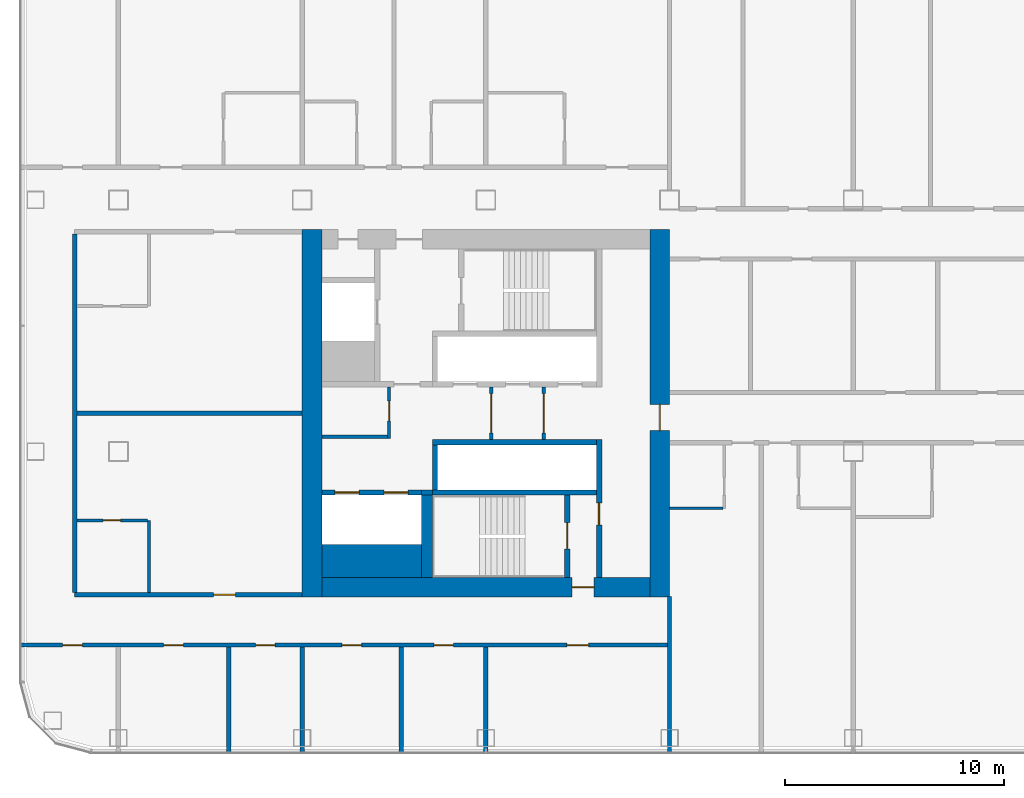
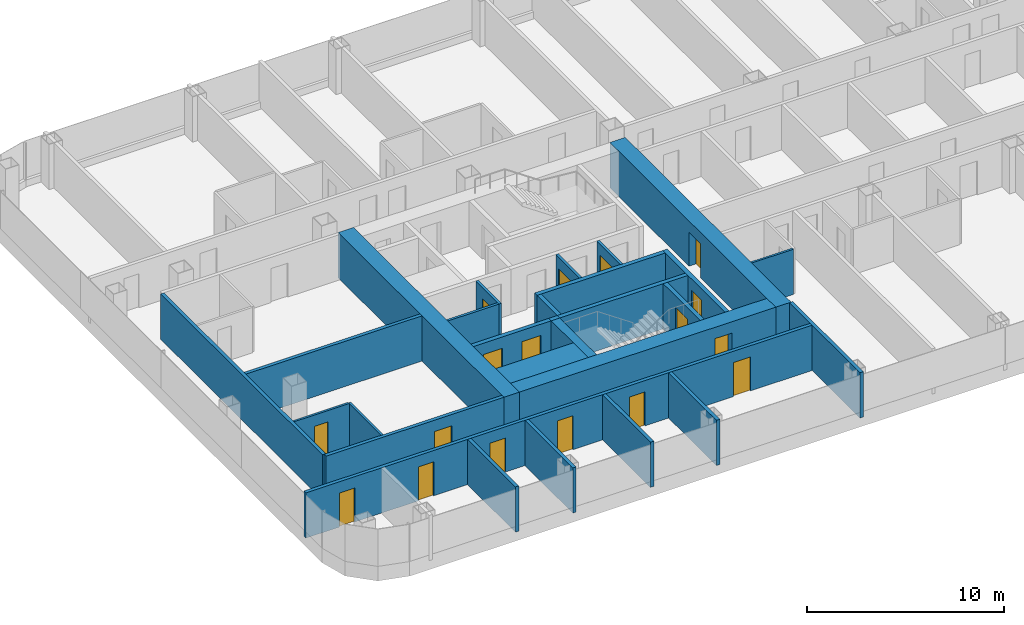
# One storey, part 15 of 29: 28 walls, 17 doors, 17 openings.
"""IFC4 building model written with IfcOpenShell, lengths in metres."""

from ifc_helpers import new_model, si_unit, direction, frame, frame_2d, origin, place, context, subcontext, project, spatial, rectangle, extrude, material, layer, layer_set, type_object, element, fill, save


model = new_model("IFC4")

# Units and contexts
model_context = context("Model", 3, precision=1e-05, world=origin(), true_north=direction((0.0, 1.0)))
body_context = subcontext(model_context, "Body", "Model", "MODEL_VIEW")
ifc_project = project(units=[si_unit("LENGTHUNIT", "METRE"), si_unit("AREAUNIT", "SQUARE_METRE"), si_unit("VOLUMEUNIT", "CUBIC_METRE"), si_unit("PLANEANGLEUNIT", "RADIAN"), si_unit("MASSUNIT", "GRAM", prefix="KILO")], contexts=[model_context])

# Site, building, storey
site_placement = place(None, origin())
site = spatial("IfcSite", under=ifc_project, at=site_placement, CompositionType="ELEMENT")
building_placement = place(site_placement, origin())
building = spatial("IfcBuilding", under=site, at=building_placement, Name="Hakoniwa Tower and Hamabe Station Hall", CompositionType="ELEMENT")
storey_placement = place(building_placement, frame((0.0, 0.0, 78.60009765625)))
storey = spatial("IfcBuildingStorey", under=building, at=storey_placement, Name="L21", CompositionType="ELEMENT", Elevation=78.60009765625)

# Wall, opening, door
ifc_material_1 = material(Name="Gypsum board partition", Category="gypsum")
ifc_layer_1 = layer(ifc_material_1, 0.125)
ifc_layer_set_1 = layer_set([ifc_layer_1], Name="Bathroom Partition 125")
wall_type_1 = type_object("IfcWallType", Name="Bathroom Partition 125", PredefinedType="PARTITIONING", material=ifc_layer_set_1)
wall_1_placement = place(storey_placement, frame((-43.89990234375, -4.89990234375, 0.0), z_axis=(0.0, 0.0, 1.0), x_axis=(1.0, 0.0, 0.0)))
wall_1 = element("IfcWall", 1, at=wall_1_placement, inside=storey, type_object=wall_type_1, Name="GW-L21-005", PredefinedType="PARTITIONING", context=body_context, shape_type="SweptSolid", body=[
    extrude(rectangle(XDim=3.2373046875, YDim=0.125, at=frame_2d((1.61865234375, 0.0))), origin(), (0.0, 0.0, 1.0), 2.7998046875),
])
opening_1_placement = place(wall_1_placement, frame((1.199951171875, 0.0, 0.0)))
opening_1 = element("IfcOpeningElement", 2, at=opening_1_placement, cuts=wall_1, Name="Opening GD-G2B0-16", PredefinedType="OPENING", context=body_context, shape_type="SweptSolid", body=[
    extrude(rectangle(XDim=0.800048828125, YDim=2.10009765625, at=frame_2d((0.39990234375, 1.050048828125))), frame((0.0, 0.072509765625, 0.0), z_axis=(0.0, -1.0, 0.0), x_axis=(1.0, 0.0, 0.0)), (0.0, 0.0, 1.0), 0.14501953125),
])
ifc_material_2 = material(Name="Timber door leaf", Category="wood")
door_type_1 = type_object("IfcDoorType", Name="Bathroom Door 800", OperationType="SINGLE_SWING_LEFT", PredefinedType="DOOR", material=ifc_material_2)
door_1_placement = place(opening_1_placement, origin())
door_1 = element("IfcDoor", 3, at=door_1_placement, inside=storey, type_object=door_type_1, Name="Door GD-G2B0-16", OperationType="SINGLE_SWING_RIGHT", OverallHeight=2.10009765625, OverallWidth=0.800048828125, PredefinedType="DOOR", context=body_context, shape_type="SweptSolid", body=[
    extrude(rectangle(XDim=0.800048828125, YDim=2.10009765625, at=frame_2d((0.39990234375, 1.050048828125))), frame((0.0, 0.02490234375, 0.0), z_axis=(0.0, -1.0, 0.0), x_axis=(1.0, 0.0, 0.0)), (0.0, 0.0, 1.0), 0.050048828125),
])
fill(opening_1, door_1)

# Walls
wall_2_placement = place(storey_placement, frame((-16.81005859375, -4.35009765625, 0.0), z_axis=(0.0, 0.0, 1.0), x_axis=(1.0, 0.0, 0.0)))
element("IfcWall", 4, at=wall_2_placement, inside=storey, type_object=wall_type_1, Name="GW-L21-008", PredefinedType="PARTITIONING", context=body_context, shape_type="SweptSolid", body=[
    extrude(rectangle(XDim=2.447509765625, YDim=0.125, at=frame_2d((1.2236328125, 0.0))), origin(), (0.0, 0.0, 1.0), 2.7998046875),
])
wall_3_placement = place(storey_placement, frame((-40.60009765625, -8.199951171875, 0.0), z_axis=(0.0, 0.0, 1.0), x_axis=(0.0, 1.0, 0.0)))
element("IfcWall", 5, at=wall_3_placement, inside=storey, type_object=wall_type_1, Name="GW-L21-034", PredefinedType="PARTITIONING", context=body_context, shape_type="SweptSolid", body=[
    extrude(rectangle(XDim=3.300048828125, YDim=0.125, at=frame_2d((1.64990234375, 0.0))), origin(), (0.0, 0.0, 1.0), 2.7998046875),
])

# Wall, opening, door
ifc_material_3 = material(Name="Gypsum board partition")
ifc_layer_2 = layer(ifc_material_3, 0.14990234375)
ifc_layer_set_2 = layer_set([ifc_layer_2], Name="CORE PARTITION 150 EI 60")
wall_type_2 = type_object("IfcWallType", Name="CORE PARTITION 150 EI 60", PredefinedType="PARTITIONING", material=ifc_layer_set_2)
wall_4_placement = place(storey_placement, frame((-22.550048828125, -1.199951171875, 0.0), z_axis=(0.0, 0.0, 1.0), x_axis=(0.0, 1.0, 0.0)))
wall_4 = element("IfcWall", 6, at=wall_4_placement, inside=storey, type_object=wall_type_2, Name="Core partition PL0 west", PredefinedType="PARTITIONING", context=body_context, shape_type="SweptSolid", body=[
    extrude(rectangle(XDim=2.39990234375, YDim=0.14990234375, at=frame_2d((1.199951171875, 0.0))), origin(), (0.0, 0.0, 1.0), 2.7998046875),
])
opening_2_placement = place(wall_4_placement, frame((0.300048828125, 0.0, 0.0)))
opening_2 = element("IfcOpeningElement", 7, at=opening_2_placement, cuts=wall_4, Name="Opening CD-W-LP0-18", PredefinedType="OPENING", context=body_context, shape_type="SweptSolid", body=[
    extrude(rectangle(XDim=1.800048828125, YDim=2.10009765625, at=frame_2d((0.89990234375, 1.050048828125))), frame((0.0, 0.0849609375, 0.0), z_axis=(0.0, -1.0, 0.0), x_axis=(1.0, 0.0, 0.0)), (0.0, 0.0, 1.0), 0.169921875),
])
ifc_material_4 = material(Name="Steel fire door", Category="steel")
door_type_2 = type_object("IfcDoorType", Name="CORE DOOR 1800 FD60", OperationType="DOUBLE_DOOR_SINGLE_SWING", PredefinedType="DOOR", material=ifc_material_4)
door_2_placement = place(opening_2_placement, origin())
door_2 = element("IfcDoor", 8, at=door_2_placement, inside=storey, type_object=door_type_2, Name="Lift lobby partition door", OperationType="DOUBLE_DOOR_SINGLE_SWING", OverallHeight=2.10009765625, OverallWidth=1.800048828125, PredefinedType="DOOR", context=body_context, shape_type="SweptSolid", body=[
    extrude(rectangle(XDim=1.800048828125, YDim=2.10009765625, at=frame_2d((0.89990234375, 1.050048828125))), frame((0.0, 0.02490234375, 0.0), z_axis=(0.0, -1.0, 0.0), x_axis=(1.0, 0.0, 0.0)), (0.0, 0.0, 1.0), 0.050048828125),
])
fill(opening_2, door_2)

wall_5_placement = place(storey_placement, frame((-24.949951171875, -1.199951171875, 0.0), z_axis=(0.0, 0.0, 1.0), x_axis=(0.0, 1.0, 0.0)))
wall_5 = element("IfcWall", 9, at=wall_5_placement, inside=storey, type_object=wall_type_2, Name="Core partition PL1 west", PredefinedType="PARTITIONING", context=body_context, shape_type="SweptSolid", body=[
    extrude(rectangle(XDim=2.39990234375, YDim=0.14990234375, at=frame_2d((1.199951171875, 0.0))), origin(), (0.0, 0.0, 1.0), 2.7998046875),
])
opening_3_placement = place(wall_5_placement, frame((0.300048828125, 0.0, 0.0)))
opening_3 = element("IfcOpeningElement", 10, at=opening_3_placement, cuts=wall_5, Name="Opening CD-W-LP1-18", PredefinedType="OPENING", context=body_context, shape_type="SweptSolid", body=[
    extrude(rectangle(XDim=1.800048828125, YDim=2.10009765625, at=frame_2d((0.89990234375, 1.050048828125))), frame((0.0, 0.0849609375, 0.0), z_axis=(0.0, -1.0, 0.0), x_axis=(1.0, 0.0, 0.0)), (0.0, 0.0, 1.0), 0.169921875),
])
door_3_placement = place(opening_3_placement, origin())
door_3 = element("IfcDoor", 11, at=door_3_placement, inside=storey, type_object=door_type_2, Name="Lift lobby partition door", OperationType="DOUBLE_DOOR_SINGLE_SWING", OverallHeight=2.10009765625, OverallWidth=1.800048828125, PredefinedType="DOOR", context=body_context, shape_type="SweptSolid", body=[
    extrude(rectangle(XDim=1.800048828125, YDim=2.10009765625, at=frame_2d((0.89990234375, 1.050048828125))), frame((0.0, 0.02490234375, 0.0), z_axis=(0.0, -1.0, 0.0), x_axis=(1.0, 0.0, 0.0)), (0.0, 0.0, 1.0), 0.050048828125),
])
fill(opening_3, door_3)

wall_6_placement = place(storey_placement, frame((-29.625, -1.14990234375, 0.0), z_axis=(0.0, 0.0, 1.0), x_axis=(0.0, 1.0, 0.0)))
wall_6 = element("IfcWall", 12, at=wall_6_placement, inside=storey, type_object=wall_type_2, Name="Core partition PW0 west", PredefinedType="PARTITIONING", context=body_context, shape_type="SweptSolid", body=[
    extrude(rectangle(XDim=2.349853515625, YDim=0.14990234375, at=frame_2d((1.1748046875, 0.0))), origin(), (0.0, 0.0, 1.0), 2.7998046875),
])
opening_4_placement = place(wall_6_placement, frame((0.800048828125, 0.0, 0.0)))
opening_4 = element("IfcOpeningElement", 13, at=opening_4_placement, cuts=wall_6, Name="Opening CD-W-RM1-9", PredefinedType="OPENING", context=body_context, shape_type="SweptSolid", body=[
    extrude(rectangle(XDim=0.89990234375, YDim=2.10009765625, at=frame_2d((0.449951171875, 1.050048828125))), frame((0.0, 0.0849609375, 0.0), z_axis=(0.0, -1.0, 0.0), x_axis=(1.0, 0.0, 0.0)), (0.0, 0.0, 1.0), 0.169921875),
])
ifc_material_5 = material(Name="Steel fire door", Category="steel")
door_type_3 = type_object("IfcDoorType", Name="CORE DOOR 900 FD30", OperationType="NOTDEFINED", PredefinedType="DOOR", material=ifc_material_5)
door_4_placement = place(opening_4_placement, origin())
door_4 = element("IfcDoor", 14, at=door_4_placement, inside=storey, type_object=door_type_3, Name="Store room door", OperationType="SINGLE_SWING_LEFT", OverallHeight=2.10009765625, OverallWidth=0.89990234375, PredefinedType="DOOR", context=body_context, shape_type="SweptSolid", body=[
    extrude(rectangle(XDim=0.89990234375, YDim=2.10009765625, at=frame_2d((0.449951171875, 1.050048828125))), frame((0.0, 0.02490234375, 0.0), z_axis=(0.0, -1.0, 0.0), x_axis=(1.0, 0.0, 0.0)), (0.0, 0.0, 1.0), 0.050048828125),
])
fill(opening_4, door_4)

# Wall
wall_7_placement = place(storey_placement, frame((-32.699951171875, -1.074951171875, 0.0), z_axis=(0.0, 0.0, 1.0), x_axis=(1.0, 0.0, 0.0)))
element("IfcWall", 15, at=wall_7_placement, inside=storey, type_object=wall_type_2, Name="Core partition PS west", PredefinedType="PARTITIONING", context=body_context, shape_type="SweptSolid", body=[
    extrude(rectangle(XDim=3.0, YDim=0.14990234375, at=frame_2d((1.5, 0.0))), origin(), (0.0, 0.0, 1.0), 2.7998046875),
])

# Wall, opening, door
ifc_material_6 = material(Name="Concrete C72", Category="concrete")
ifc_layer_3 = layer(ifc_material_6, 0.89990234375)
ifc_layer_set_3 = layer_set([ifc_layer_3], Name="CORE WALL 900 C72")
wall_type_3 = type_object("IfcWallType", Name="CORE WALL 900 C72", PredefinedType="SHEAR", material=ifc_layer_set_3)
wall_8_placement = place(storey_placement, frame((-17.25, -8.39990234375, 0.0), z_axis=(0.0, 0.0, 1.0), x_axis=(0.0, 1.0, 0.0)))
wall_8 = element("IfcWall", 16, at=wall_8_placement, inside=storey, type_object=wall_type_3, Name="Core wall INNER west", PredefinedType="SHEAR", context=body_context, shape_type="SweptSolid", body=[
    extrude(rectangle(XDim=16.7998046875, YDim=0.89990234375, at=frame_2d((8.39990234375, 0.0))), origin(), (0.0, 0.0, 1.0), 2.7998046875),
])
opening_5_placement = place(wall_8_placement, frame((7.60009765625, 0.0, 0.0)))
opening_5 = element("IfcOpeningElement", 17, at=opening_5_placement, cuts=wall_8, Name="Opening CD-W-IN1-12", PredefinedType="OPENING", context=body_context, shape_type="SweptSolid", body=[
    extrude(rectangle(XDim=1.199951171875, YDim=2.10009765625, at=frame_2d((0.60009765625, 1.050048828125))), frame((0.0, 0.4599609375, 0.0), z_axis=(0.0, -1.0, 0.0), x_axis=(1.0, 0.0, 0.0)), (0.0, 0.0, 1.0), 0.919921875),
])
ifc_material_7 = material(Name="Steel fire door", Category="steel")
door_type_4 = type_object("IfcDoorType", Name="CORE DOOR 1200 FD60", OperationType="DOUBLE_DOOR_SINGLE_SWING", PredefinedType="DOOR", material=ifc_material_7)
door_5_placement = place(opening_5_placement, origin())
door_5 = element("IfcDoor", 18, at=door_5_placement, inside=storey, type_object=door_type_4, Name="Lift lobby door", OperationType="DOUBLE_DOOR_SINGLE_SWING", OverallHeight=2.10009765625, OverallWidth=1.199951171875, PredefinedType="DOOR", context=body_context, shape_type="SweptSolid", body=[
    extrude(rectangle(XDim=1.199951171875, YDim=2.10009765625, at=frame_2d((0.60009765625, 1.050048828125))), frame((0.0, 0.02490234375, 0.0), z_axis=(0.0, -1.0, 0.0), x_axis=(1.0, 0.0, 0.0)), (0.0, 0.0, 1.0), 0.050048828125),
])
fill(opening_5, door_5)

# Wall
wall_9_placement = place(storey_placement, frame((-33.14990234375, -8.39990234375, 0.0), z_axis=(0.0, 0.0, 1.0), x_axis=(0.0, 1.0, 0.0)))
element("IfcWall", 19, at=wall_9_placement, inside=storey, type_object=wall_type_3, Name="Core wall OUTER west", PredefinedType="SHEAR", context=body_context, shape_type="SweptSolid", body=[
    extrude(rectangle(XDim=16.7998046875, YDim=0.89990234375, at=frame_2d((8.39990234375, 0.0))), origin(), (0.0, 0.0, 1.0), 2.7998046875),
])

# Wall, opening, door
wall_10_placement = place(storey_placement, frame((-32.699951171875, -7.949951171875, 0.0), z_axis=(0.0, 0.0, 1.0), x_axis=(1.0, 0.0, 0.0)))
wall_10 = element("IfcWall", 20, at=wall_10_placement, inside=storey, type_object=wall_type_3, Name="Core wall SOUTH west", PredefinedType="SHEAR", context=body_context, shape_type="SweptSolid", body=[
    extrude(rectangle(XDim=15.0, YDim=0.89990234375, at=frame_2d((7.5, 0.0))), origin(), (0.0, 0.0, 1.0), 2.7998046875),
])
opening_6_placement = place(wall_10_placement, frame((11.449951171875, 0.0, 0.0)))
opening_6 = element("IfcOpeningElement", 21, at=opening_6_placement, cuts=wall_10, Name="Opening CD-W-FS3-10", PredefinedType="OPENING", context=body_context, shape_type="SweptSolid", body=[
    extrude(rectangle(XDim=1.0, YDim=2.10009765625, at=frame_2d((0.5, 1.050048828125))), frame((0.0, 0.4599609375, 0.0), z_axis=(0.0, -1.0, 0.0), x_axis=(1.0, 0.0, 0.0)), (0.0, 0.0, 1.0), 0.919921875),
])
ifc_material_8 = material(Name="Steel fire door", Category="steel")
door_type_5 = type_object("IfcDoorType", Name="CORE DOOR 1000 FD60", OperationType="NOTDEFINED", PredefinedType="DOOR", material=ifc_material_8)
door_6_placement = place(opening_6_placement, origin())
door_6 = element("IfcDoor", 22, at=door_6_placement, inside=storey, type_object=door_type_5, Name="Stair vestibule door", OperationType="SINGLE_SWING_RIGHT", OverallHeight=2.10009765625, OverallWidth=1.0, PredefinedType="DOOR", context=body_context, shape_type="SweptSolid", body=[
    extrude(rectangle(XDim=1.0, YDim=2.10009765625, at=frame_2d((0.5, 1.050048828125))), frame((0.0, 0.02490234375, 0.0), z_axis=(0.0, -1.0, 0.0), x_axis=(1.0, 0.0, 0.0)), (0.0, 0.0, 1.0), 0.050048828125),
])
fill(opening_6, door_6)

# Wall
ifc_material_9 = material(Name="Concrete C72", Category="concrete")
ifc_layer_4 = layer(ifc_material_9, 1.5)
ifc_layer_set_4 = layer_set([ifc_layer_4], Name="CORE WEB WALL 1500 C72")
wall_type_4 = type_object("IfcWallType", Name="CORE WEB WALL 1500 C72", PredefinedType="SHEAR", material=ifc_layer_set_4)
wall_11_placement = place(storey_placement, frame((-32.699951171875, -6.75, 0.0), z_axis=(0.0, 0.0, 1.0), x_axis=(1.0, 0.0, 0.0)))
element("IfcWall", 23, at=wall_11_placement, inside=storey, type_object=wall_type_4, Name="Core wall SER west", PredefinedType="SHEAR", context=body_context, shape_type="SweptSolid", body=[
    extrude(rectangle(XDim=4.550048828125, YDim=1.5, at=frame_2d((2.27490234375, 0.0))), origin(), (0.0, 0.0, 1.0), 2.7998046875),
])

# Wall, opening, door
ifc_material_10 = material(Name="Concrete C72", Category="concrete")
ifc_layer_5 = layer(ifc_material_10, 0.25)
ifc_layer_set_5 = layer_set([ifc_layer_5], Name="CORE WEB WALL 250 C72")
wall_type_5 = type_object("IfcWallType", Name="CORE WEB WALL 250 C72", PredefinedType="SHEAR", material=ifc_layer_set_5)
wall_12_placement = place(storey_placement, frame((-20.02490234375, -7.5, 0.0), z_axis=(0.0, 0.0, 1.0), x_axis=(0.0, 1.0, 0.0)))
wall_12 = element("IfcWall", 24, at=wall_12_placement, inside=storey, type_object=wall_type_5, Name="Core wall W1S west", PredefinedType="SHEAR", context=body_context, shape_type="SweptSolid", body=[
    extrude(rectangle(XDim=6.300048828125, YDim=0.25, at=frame_2d((3.14990234375, 0.0))), origin(), (0.0, 0.0, 1.0), 2.7998046875),
])
opening_7_placement = place(wall_12_placement, frame((2.39990234375, 0.0, 0.0)))
opening_7 = element("IfcOpeningElement", 25, at=opening_7_placement, cuts=wall_12, Name="Opening CD-W-VS-10", PredefinedType="OPENING", context=body_context, shape_type="SweptSolid", body=[
    extrude(rectangle(XDim=1.0, YDim=2.10009765625, at=frame_2d((0.5, 1.050048828125))), frame((0.0, 0.135009765625, 0.0), z_axis=(0.0, -1.0, 0.0), x_axis=(1.0, 0.0, 0.0)), (0.0, 0.0, 1.0), 0.27001953125),
])
door_7_placement = place(opening_7_placement, origin())
door_7 = element("IfcDoor", 26, at=door_7_placement, inside=storey, type_object=door_type_5, Name="Stair vestibule door", OperationType="SINGLE_SWING_LEFT", OverallHeight=2.10009765625, OverallWidth=1.0, PredefinedType="DOOR", context=body_context, shape_type="SweptSolid", body=[
    extrude(rectangle(XDim=1.0, YDim=2.10009765625, at=frame_2d((0.5, 1.050048828125))), frame((0.0, 0.02490234375, 0.0), z_axis=(0.0, -1.0, 0.0), x_axis=(1.0, 0.0, 0.0)), (0.0, 0.0, 1.0), 0.050048828125),
])
fill(opening_7, door_7)

# Walls
wall_13_placement = place(storey_placement, frame((-27.64990234375, -1.324951171875, 0.0), z_axis=(0.0, 0.0, 1.0), x_axis=(1.0, 0.0, 0.0)))
element("IfcWall", 27, at=wall_13_placement, inside=storey, type_object=wall_type_5, Name="Core wall SF west", PredefinedType="SHEAR", context=body_context, shape_type="SweptSolid", body=[
    extrude(rectangle(XDim=7.5, YDim=0.25, at=frame_2d((3.75, 0.0))), origin(), (0.0, 0.0, 1.0), 2.7998046875),
])
wall_14_placement = place(storey_placement, frame((-27.52490234375, -3.5, 0.0), z_axis=(0.0, 0.0, 1.0), x_axis=(0.0, 1.0, 0.0)))
element("IfcWall", 28, at=wall_14_placement, inside=storey, type_object=wall_type_5, Name="Core wall SE west", PredefinedType="SHEAR", context=body_context, shape_type="SweptSolid", body=[
    extrude(rectangle(XDim=2.050048828125, YDim=0.25, at=frame_2d((1.02490234375, 0.0))), origin(), (0.0, 0.0, 1.0), 2.7998046875),
])
wall_15_placement = place(storey_placement, frame((-27.64990234375, -3.625, 0.0), z_axis=(0.0, 0.0, 1.0), x_axis=(1.0, 0.0, 0.0)))
element("IfcWall", 29, at=wall_15_placement, inside=storey, type_object=wall_type_5, Name="Core wall SR west", PredefinedType="SHEAR", context=body_context, shape_type="SweptSolid", body=[
    extrude(rectangle(XDim=7.5, YDim=0.25, at=frame_2d((3.75, 0.0))), origin(), (0.0, 0.0, 1.0), 2.7998046875),
])

# Wall, opening, door
wall_16_placement = place(storey_placement, frame((-21.47509765625, -7.5, 0.0), z_axis=(0.0, 0.0, 1.0), x_axis=(0.0, 1.0, 0.0)))
wall_16 = element("IfcWall", 30, at=wall_16_placement, inside=storey, type_object=wall_type_5, Name="Core wall VE west", PredefinedType="SHEAR", context=body_context, shape_type="SweptSolid", body=[
    extrude(rectangle(XDim=3.75, YDim=0.25, at=frame_2d((1.875, 0.0))), origin(), (0.0, 0.0, 1.0), 2.7998046875),
])
opening_8_placement = place(wall_16_placement, frame((1.300048828125, 0.0, 0.0)))
opening_8 = element("IfcOpeningElement", 31, at=opening_8_placement, cuts=wall_16, Name="Opening CD-W-SS-12", PredefinedType="OPENING", context=body_context, shape_type="SweptSolid", body=[
    extrude(rectangle(XDim=1.199951171875, YDim=2.10009765625, at=frame_2d((0.60009765625, 1.050048828125))), frame((0.0, 0.135009765625, 0.0), z_axis=(0.0, -1.0, 0.0), x_axis=(1.0, 0.0, 0.0)), (0.0, 0.0, 1.0), 0.27001953125),
])
door_8_placement = place(opening_8_placement, origin())
door_8 = element("IfcDoor", 32, at=door_8_placement, inside=storey, type_object=door_type_4, Name="Escape stair door", OperationType="DOUBLE_DOOR_SINGLE_SWING", OverallHeight=2.10009765625, OverallWidth=1.199951171875, PredefinedType="DOOR", context=body_context, shape_type="SweptSolid", body=[
    extrude(rectangle(XDim=1.199951171875, YDim=2.10009765625, at=frame_2d((0.60009765625, 1.050048828125))), frame((0.0, 0.02490234375, 0.0), z_axis=(0.0, -1.0, 0.0), x_axis=(1.0, 0.0, 0.0)), (0.0, 0.0, 1.0), 0.050048828125),
])
fill(opening_8, door_8)

# Wall, openings, doors
wall_17_placement = place(storey_placement, frame((-32.699951171875, -3.625, 0.0), z_axis=(0.0, 0.0, 1.0), x_axis=(1.0, 0.0, 0.0)))
wall_17 = element("IfcWall", 33, at=wall_17_placement, inside=storey, type_object=wall_type_5, Name="Core wall SEF west", PredefinedType="SHEAR", context=body_context, shape_type="SweptSolid", body=[
    extrude(rectangle(XDim=4.550048828125, YDim=0.25, at=frame_2d((2.27490234375, 0.0))), origin(), (0.0, 0.0, 1.0), 2.7998046875),
])
opening_9_placement = place(wall_17_placement, frame((2.85009765625, 0.0, 0.0)))
opening_9 = element("IfcOpeningElement", 34, at=opening_9_placement, cuts=wall_17, Name="Opening LD-SV1", PredefinedType="OPENING", context=body_context, shape_type="SweptSolid", body=[
    extrude(rectangle(XDim=1.10009765625, YDim=2.10009765625, at=frame_2d((0.550048828125, 1.050048828125))), frame((0.0, 0.135009765625, 0.0), z_axis=(0.0, -1.0, 0.0), x_axis=(1.0, 0.0, 0.0)), (0.0, 0.0, 1.0), 0.27001953125),
])
opening_10_placement = place(wall_17_placement, frame((0.60009765625, 0.0, 0.0)))
opening_10 = element("IfcOpeningElement", 35, at=opening_10_placement, cuts=wall_17, Name="Opening LD-SV2", PredefinedType="OPENING", context=body_context, shape_type="SweptSolid", body=[
    extrude(rectangle(XDim=1.10009765625, YDim=2.10009765625, at=frame_2d((0.550048828125, 1.050048828125))), frame((0.0, 0.135009765625, 0.0), z_axis=(0.0, -1.0, 0.0), x_axis=(1.0, 0.0, 0.0)), (0.0, 0.0, 1.0), 0.27001953125),
])
ifc_material_11 = material(Name="Stainless steel SUS304", Category="steel")
door_type_6 = type_object("IfcDoorType", Name="LIFT LANDING DOOR 1100 FD60", OperationType="DOUBLE_DOOR_SLIDING", PredefinedType="DOOR", material=ifc_material_11)
door_9_placement = place(opening_9_placement, origin())
door_9 = element("IfcDoor", 36, at=door_9_placement, inside=storey, type_object=door_type_6, Name="Lift landing door SV1 L21", OperationType="DOUBLE_DOOR_SLIDING", OverallHeight=2.10009765625, OverallWidth=1.10009765625, PredefinedType="DOOR", context=body_context, shape_type="SweptSolid", body=[
    extrude(rectangle(XDim=1.10009765625, YDim=2.10009765625, at=frame_2d((0.550048828125, 1.050048828125))), frame((0.0, 0.02490234375, 0.0), z_axis=(0.0, -1.0, 0.0), x_axis=(1.0, 0.0, 0.0)), (0.0, 0.0, 1.0), 0.050048828125),
])
fill(opening_9, door_9)
door_10_placement = place(opening_10_placement, origin())
door_10 = element("IfcDoor", 37, at=door_10_placement, inside=storey, type_object=door_type_6, Name="Lift landing door SV2 L21", OperationType="DOUBLE_DOOR_SLIDING", OverallHeight=2.10009765625, OverallWidth=1.10009765625, PredefinedType="DOOR", context=body_context, shape_type="SweptSolid", body=[
    extrude(rectangle(XDim=1.10009765625, YDim=2.10009765625, at=frame_2d((0.550048828125, 1.050048828125))), frame((0.0, 0.02490234375, 0.0), z_axis=(0.0, -1.0, 0.0), x_axis=(1.0, 0.0, 0.0)), (0.0, 0.0, 1.0), 0.050048828125),
])
fill(opening_10, door_10)

# Walls
wall_18_placement = place(storey_placement, frame((-28.14990234375, -3.625, 0.0), z_axis=(0.0, 0.0, 1.0), x_axis=(1.0, 0.0, 0.0)))
element("IfcWall", 38, at=wall_18_placement, inside=storey, type_object=wall_type_5, Name="Core wall SRK west", PredefinedType="SHEAR", context=body_context, shape_type="SweptSolid", body=[
    extrude(rectangle(XDim=0.5, YDim=0.25, at=frame_2d((0.25, 0.0))), origin(), (0.0, 0.0, 1.0), 2.7998046875),
])
ifc_material_12 = material(Name="Concrete C72", Category="concrete")
ifc_layer_6 = layer(ifc_material_12, 0.5)
ifc_layer_set_6 = layer_set([ifc_layer_6], Name="CORE WEB WALL 500 C72")
wall_type_6 = type_object("IfcWallType", Name="CORE WEB WALL 500 C72", PredefinedType="SHEAR", material=ifc_layer_set_6)
wall_19_placement = place(storey_placement, frame((-27.89990234375, -7.5, 0.0), z_axis=(0.0, 0.0, 1.0), x_axis=(0.0, 1.0, 0.0)))
element("IfcWall", 39, at=wall_19_placement, inside=storey, type_object=wall_type_6, Name="Core wall SSE west", PredefinedType="SHEAR", context=body_context, shape_type="SweptSolid", body=[
    extrude(rectangle(XDim=3.75, YDim=0.5, at=frame_2d((1.875, 0.0))), origin(), (0.0, 0.0, 1.0), 2.7998046875),
])

# Wall, openings, doors
ifc_material_13 = material(Name="Fire-rated gypsum board partition", Category="gypsum")
ifc_layer_7 = layer(ifc_material_13, 0.199951171875)
ifc_layer_set_7 = layer_set([ifc_layer_7], Name="Corridor Wall 200")
wall_type_7 = type_object("IfcWallType", Name="Corridor Wall 200", PredefinedType="PARTITIONING", material=ifc_layer_set_7)
wall_20_placement = place(storey_placement, frame((-46.5, -10.60009765625, 0.0), z_axis=(0.0, 0.0, 1.0), x_axis=(1.0, 0.0, 0.0)))
wall_20 = element("IfcWall", 40, at=wall_20_placement, inside=storey, type_object=wall_type_7, Name="GW-L21-001", PredefinedType="PARTITIONING", context=body_context, shape_type="SweptSolid", body=[
    extrude(rectangle(XDim=29.699951171875, YDim=0.199951171875, at=frame_2d((14.85009765625, 0.0))), origin(), (0.0, 0.0, 1.0), 2.7998046875),
])
opening_11_placement = place(wall_20_placement, frame((1.949951171875, 0.0, 0.0)))
opening_11 = element("IfcOpeningElement", 41, at=opening_11_placement, cuts=wall_20, Name="Opening GD-G2B0-01", PredefinedType="OPENING", context=body_context, shape_type="SweptSolid", body=[
    extrude(rectangle(XDim=0.89990234375, YDim=2.10009765625, at=frame_2d((0.449951171875, 1.050048828125))), frame((0.0, 0.10986328125, 0.0), z_axis=(0.0, -1.0, 0.0), x_axis=(1.0, 0.0, 0.0)), (0.0, 0.0, 1.0), 0.219970703125),
])
opening_12_placement = place(wall_20_placement, frame((6.570068359375, 0.0, 0.0)))
opening_12 = element("IfcOpeningElement", 42, at=opening_12_placement, cuts=wall_20, Name="Opening GD-G2B0-02", PredefinedType="OPENING", context=body_context, shape_type="SweptSolid", body=[
    extrude(rectangle(XDim=0.89990234375, YDim=2.10009765625, at=frame_2d((0.449951171875, 1.050048828125))), frame((0.0, 0.10986328125, 0.0), z_axis=(0.0, -1.0, 0.0), x_axis=(1.0, 0.0, 0.0)), (0.0, 0.0, 1.0), 0.219970703125),
])
opening_13_placement = place(wall_20_placement, frame((10.77001953125, 0.0, 0.0)))
opening_13 = element("IfcOpeningElement", 43, at=opening_13_placement, cuts=wall_20, Name="Opening GD-G2B0-03", PredefinedType="OPENING", context=body_context, shape_type="SweptSolid", body=[
    extrude(rectangle(XDim=0.89990234375, YDim=2.10009765625, at=frame_2d((0.449951171875, 1.050048828125))), frame((0.0, 0.10986328125, 0.0), z_axis=(0.0, -1.0, 0.0), x_axis=(1.0, 0.0, 0.0)), (0.0, 0.0, 1.0), 0.219970703125),
])
opening_14_placement = place(wall_20_placement, frame((14.719970703125, 0.0, 0.0)))
opening_14 = element("IfcOpeningElement", 44, at=opening_14_placement, cuts=wall_20, Name="Opening GD-G2B0-04", PredefinedType="OPENING", context=body_context, shape_type="SweptSolid", body=[
    extrude(rectangle(XDim=0.89990234375, YDim=2.10009765625, at=frame_2d((0.449951171875, 1.050048828125))), frame((0.0, 0.10986328125, 0.0), z_axis=(0.0, -1.0, 0.0), x_axis=(1.0, 0.0, 0.0)), (0.0, 0.0, 1.0), 0.219970703125),
])
opening_15_placement = place(wall_20_placement, frame((18.919921875, 0.0, 0.0)))
opening_15 = element("IfcOpeningElement", 45, at=opening_15_placement, cuts=wall_20, Name="Opening GD-G2B0-05", PredefinedType="OPENING", context=body_context, shape_type="SweptSolid", body=[
    extrude(rectangle(XDim=0.89990234375, YDim=2.10009765625, at=frame_2d((0.449951171875, 1.050048828125))), frame((0.0, 0.10986328125, 0.0), z_axis=(0.0, -1.0, 0.0), x_axis=(1.0, 0.0, 0.0)), (0.0, 0.0, 1.0), 0.219970703125),
])
opening_16_placement = place(wall_20_placement, frame((25.0, 0.0, 0.0)))
opening_16 = element("IfcOpeningElement", 46, at=opening_16_placement, cuts=wall_20, Name="Opening GD-G2B0-06", PredefinedType="OPENING", context=body_context, shape_type="SweptSolid", body=[
    extrude(rectangle(XDim=1.0, YDim=2.10009765625, at=frame_2d((0.5, 1.050048828125))), frame((0.0, 0.10986328125, 0.0), z_axis=(0.0, -1.0, 0.0), x_axis=(1.0, 0.0, 0.0)), (0.0, 0.0, 1.0), 0.219970703125),
])
ifc_material_14 = material(Name="Timber door leaf", Category="wood")
door_type_7 = type_object("IfcDoorType", Name="Guest Entrance Door 1000", OperationType="SINGLE_SWING_LEFT", PredefinedType="DOOR", material=ifc_material_14)
door_11_placement = place(opening_16_placement, origin())
door_11 = element("IfcDoor", 47, at=door_11_placement, inside=storey, type_object=door_type_7, Name="Door GD-G2B0-06", OperationType="SINGLE_SWING_LEFT", OverallHeight=2.10009765625, OverallWidth=1.0, PredefinedType="DOOR", context=body_context, shape_type="SweptSolid", body=[
    extrude(rectangle(XDim=1.0, YDim=2.10009765625, at=frame_2d((0.5, 1.050048828125))), frame((0.0, 0.02490234375, 0.0), z_axis=(0.0, -1.0, 0.0), x_axis=(1.0, 0.0, 0.0)), (0.0, 0.0, 1.0), 0.050048828125),
])
fill(opening_16, door_11)
ifc_material_15 = material(Name="Timber door leaf", Category="wood")
door_type_8 = type_object("IfcDoorType", Name="Service Door 900", OperationType="SINGLE_SWING_LEFT", PredefinedType="DOOR", material=ifc_material_15)
door_12_placement = place(opening_11_placement, origin())
door_12 = element("IfcDoor", 48, at=door_12_placement, inside=storey, type_object=door_type_8, Name="Door GD-G2B0-01", OperationType="SINGLE_SWING_RIGHT", OverallHeight=2.10009765625, OverallWidth=0.89990234375, PredefinedType="DOOR", context=body_context, shape_type="SweptSolid", body=[
    extrude(rectangle(XDim=0.89990234375, YDim=2.10009765625, at=frame_2d((0.449951171875, 1.050048828125))), frame((0.0, 0.02490234375, 0.0), z_axis=(0.0, -1.0, 0.0), x_axis=(1.0, 0.0, 0.0)), (0.0, 0.0, 1.0), 0.050048828125),
])
fill(opening_11, door_12)
door_13_placement = place(opening_12_placement, origin())
door_13 = element("IfcDoor", 49, at=door_13_placement, inside=storey, type_object=door_type_8, Name="Door GD-G2B0-02", OperationType="SINGLE_SWING_LEFT", OverallHeight=2.10009765625, OverallWidth=0.89990234375, PredefinedType="DOOR", context=body_context, shape_type="SweptSolid", body=[
    extrude(rectangle(XDim=0.89990234375, YDim=2.10009765625, at=frame_2d((0.449951171875, 1.050048828125))), frame((0.0, 0.02490234375, 0.0), z_axis=(0.0, -1.0, 0.0), x_axis=(1.0, 0.0, 0.0)), (0.0, 0.0, 1.0), 0.050048828125),
])
fill(opening_12, door_13)
door_14_placement = place(opening_13_placement, origin())
door_14 = element("IfcDoor", 50, at=door_14_placement, inside=storey, type_object=door_type_8, Name="Door GD-G2B0-03", OperationType="SINGLE_SWING_RIGHT", OverallHeight=2.10009765625, OverallWidth=0.89990234375, PredefinedType="DOOR", context=body_context, shape_type="SweptSolid", body=[
    extrude(rectangle(XDim=0.89990234375, YDim=2.10009765625, at=frame_2d((0.449951171875, 1.050048828125))), frame((0.0, 0.02490234375, 0.0), z_axis=(0.0, -1.0, 0.0), x_axis=(1.0, 0.0, 0.0)), (0.0, 0.0, 1.0), 0.050048828125),
])
fill(opening_13, door_14)
door_15_placement = place(opening_14_placement, origin())
door_15 = element("IfcDoor", 51, at=door_15_placement, inside=storey, type_object=door_type_8, Name="Door GD-G2B0-04", OperationType="SINGLE_SWING_LEFT", OverallHeight=2.10009765625, OverallWidth=0.89990234375, PredefinedType="DOOR", context=body_context, shape_type="SweptSolid", body=[
    extrude(rectangle(XDim=0.89990234375, YDim=2.10009765625, at=frame_2d((0.449951171875, 1.050048828125))), frame((0.0, 0.02490234375, 0.0), z_axis=(0.0, -1.0, 0.0), x_axis=(1.0, 0.0, 0.0)), (0.0, 0.0, 1.0), 0.050048828125),
])
fill(opening_14, door_15)
door_16_placement = place(opening_15_placement, origin())
door_16 = element("IfcDoor", 52, at=door_16_placement, inside=storey, type_object=door_type_8, Name="Door GD-G2B0-05", OperationType="SINGLE_SWING_RIGHT", OverallHeight=2.10009765625, OverallWidth=0.89990234375, PredefinedType="DOOR", context=body_context, shape_type="SweptSolid", body=[
    extrude(rectangle(XDim=0.89990234375, YDim=2.10009765625, at=frame_2d((0.449951171875, 1.050048828125))), frame((0.0, 0.02490234375, 0.0), z_axis=(0.0, -1.0, 0.0), x_axis=(1.0, 0.0, 0.0)), (0.0, 0.0, 1.0), 0.050048828125),
])
fill(opening_15, door_16)

# Wall, opening, door
wall_21_placement = place(storey_placement, frame((-44.0, -8.300048828125, 0.0), z_axis=(0.0, 0.0, 1.0), x_axis=(1.0, 0.0, 0.0)))
wall_21 = element("IfcWall", 53, at=wall_21_placement, inside=storey, type_object=wall_type_7, Name="GW-L21-003", PredefinedType="PARTITIONING", context=body_context, shape_type="SweptSolid", body=[
    extrude(rectangle(XDim=10.39990234375, YDim=0.199951171875, at=frame_2d((5.199951171875, 0.0))), origin(), (0.0, 0.0, 1.0), 2.7998046875),
])
opening_17_placement = place(wall_21_placement, frame((6.35009765625, 0.0, 0.0)))
opening_17 = element("IfcOpeningElement", 54, at=opening_17_placement, cuts=wall_21, Name="Opening GD-G2B0-14", PredefinedType="OPENING", context=body_context, shape_type="SweptSolid", body=[
    extrude(rectangle(XDim=1.0, YDim=2.10009765625, at=frame_2d((0.5, 1.050048828125))), frame((0.0, 0.10986328125, 0.0), z_axis=(0.0, -1.0, 0.0), x_axis=(1.0, 0.0, 0.0)), (0.0, 0.0, 1.0), 0.219970703125),
])
door_17_placement = place(opening_17_placement, origin())
door_17 = element("IfcDoor", 55, at=door_17_placement, inside=storey, type_object=door_type_7, Name="Door GD-G2B0-14", OperationType="SINGLE_SWING_LEFT", OverallHeight=2.10009765625, OverallWidth=1.0, PredefinedType="DOOR", context=body_context, shape_type="SweptSolid", body=[
    extrude(rectangle(XDim=1.0, YDim=2.10009765625, at=frame_2d((0.5, 1.050048828125))), frame((0.0, 0.02490234375, 0.0), z_axis=(0.0, -1.0, 0.0), x_axis=(1.0, 0.0, 0.0)), (0.0, 0.0, 1.0), 0.050048828125),
])
fill(opening_17, door_17)

# Walls
ifc_material_16 = material(Name="Fire-rated gypsum board partition", Category="gypsum")
ifc_layer_8 = layer(ifc_material_16, 0.199951171875)
ifc_layer_set_8 = layer_set([ifc_layer_8], Name="Party Wall 200")
wall_type_8 = type_object("IfcWallType", Name="Party Wall 200", PredefinedType="PARTITIONING", material=ifc_layer_set_8)
wall_22_placement = place(storey_placement, frame((-43.89990234375, 0.0, 0.0), z_axis=(0.0, 0.0, 1.0), x_axis=(1.0, 0.0, 0.0)))
element("IfcWall", 56, at=wall_22_placement, inside=storey, type_object=wall_type_8, Name="GW-L21-013", PredefinedType="PARTITIONING", context=body_context, shape_type="SweptSolid", body=[
    extrude(rectangle(XDim=10.2998046875, YDim=0.199951171875, at=frame_2d((5.14990234375, 0.0))), origin(), (0.0, 0.0, 1.0), 2.7998046875),
])
wall_23_placement = place(storey_placement, frame((-44.0, -8.199951171875, 0.0), z_axis=(0.0, 0.0, 1.0), x_axis=(0.0, 1.0, 0.0)))
element("IfcWall", 57, at=wall_23_placement, inside=storey, type_object=wall_type_8, Name="GW-L21-031", PredefinedType="PARTITIONING", context=body_context, shape_type="SweptSolid", body=[
    extrude(rectangle(XDim=16.39990234375, YDim=0.199951171875, at=frame_2d((8.199951171875, 0.0))), origin(), (0.0, 0.0, 1.0), 2.7998046875),
])
for number, where, z_axis, x_axis, name in (
    (58, (-36.9599609375, -15.550048828125, 0.0), (0.0, 0.0, 1.0), (0.0, 1.0, 0.0), "GW-L21-037"),
    (59, (-33.60009765625, -15.550048828125, 0.0), (0.0, 0.0, 1.0), (0.0, 1.0, 0.0), "GW-L21-038"),
    (60, (-29.06005859375, -15.550048828125, 0.0), (0.0, 0.0, 1.0), (0.0, 1.0, 0.0), "GW-L21-042"),
    (61, (-25.199951171875, -15.550048828125, 0.0), (0.0, 0.0, 1.0), (0.0, 1.0, 0.0), "GW-L21-044"),
):
    element("IfcWall", number, at=place(storey_placement, frame(where, z_axis=z_axis, x_axis=x_axis)), inside=storey, type_object=wall_type_8, Name=name, PredefinedType="PARTITIONING", context=body_context, shape_type="SweptSolid", body=[
        extrude(rectangle(XDim=4.85009765625, YDim=0.199951171875, at=frame_2d((2.425048828125, 0.0))), origin(), (0.0, 0.0, 1.0), 2.7998046875),
    ])
wall_24_placement = place(storey_placement, frame((-16.800048828125, -15.550048828125, 0.0), z_axis=(0.0, 0.0, 1.0), x_axis=(0.0, 1.0, 0.0)))
element("IfcWall", 62, at=wall_24_placement, inside=storey, type_object=wall_type_8, Name="GW-L21-047", PredefinedType="PARTITIONING", context=body_context, shape_type="SweptSolid", body=[
    extrude(rectangle(XDim=7.16015625, YDim=0.199951171875, at=frame_2d((3.580078125, 0.0))), origin(), (0.0, 0.0, 1.0), 2.7998046875),
])

save(model, "model.ifc")
